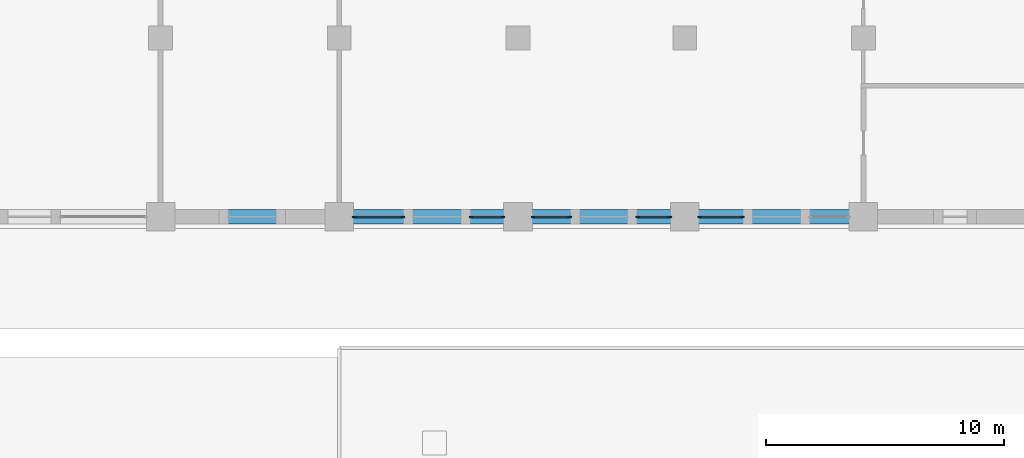
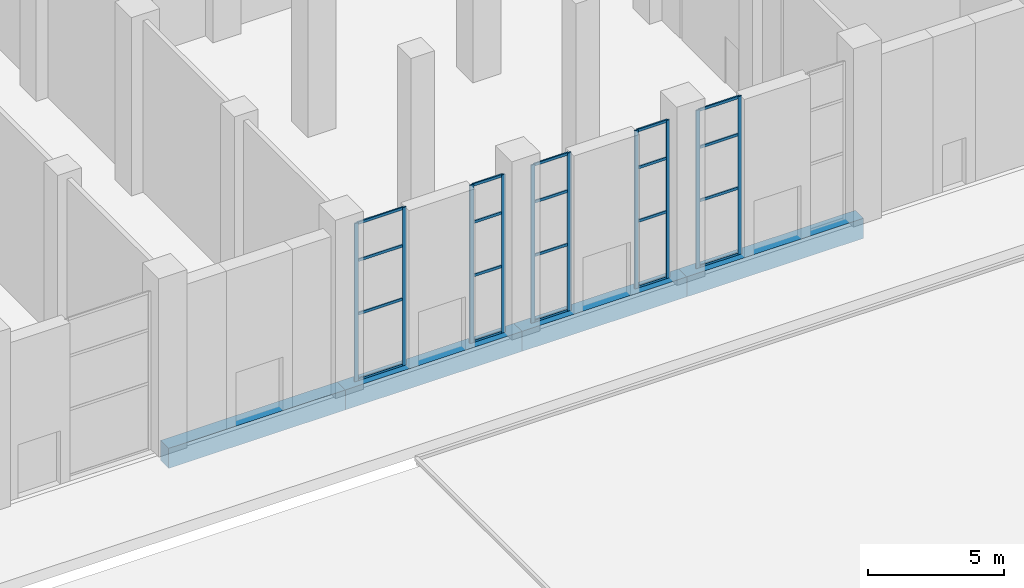
# One storey, part 5 of 57: 30 members, 4 beams, 5 elements without a shape of their own.
"""IFC4 building model written with IfcOpenShell, lengths in metres."""

from ifc_helpers import new_model, si_unit, direction, frame, origin, origin_2d, place, context, subcontext, project, spatial, rectangle, extrude, material, layer, layer_set, material_profile, profile_set, type_object, element, aggregate, save


model = new_model("IFC4")

# Units and contexts
model_context = context("Model", 3, precision=1e-05, world=origin(), true_north=direction((0.0, 1.0)))
body_context = subcontext(model_context, "Body", "Model", "MODEL_VIEW")
ifc_project = project(units=[si_unit("LENGTHUNIT", "METRE"), si_unit("AREAUNIT", "SQUARE_METRE"), si_unit("VOLUMEUNIT", "CUBIC_METRE"), si_unit("PLANEANGLEUNIT", "RADIAN"), si_unit("MASSUNIT", "GRAM", prefix="KILO")], contexts=[model_context])

# Site, building, storey
site_placement = place(None, origin())
site = spatial("IfcSite", under=ifc_project, at=site_placement, CompositionType="ELEMENT")
building_placement = place(site_placement, origin())
building = spatial("IfcBuilding", under=site, at=building_placement, Name="Tamorin Gate", CompositionType="ELEMENT")
storey_placement = place(building_placement, origin())
storey = spatial("IfcBuildingStorey", under=building, at=storey_placement, Name="L00", CompositionType="ELEMENT", Elevation=0.0)

# Beams
ifc_material_1 = material(Name="Concrete C50/60", Category="concrete")
ifc_material_profile_1 = material_profile(ifc_material_1, rectangle(XDim=0.60009765625, YDim=0.89990234375, at=origin_2d()), Name="RC 600x900")
ifc_profile_set_1 = profile_set([ifc_material_profile_1], Name="Concrete C50/60")
beam_type = type_object("IfcBeamType", Name="RC spandrel 600x900 C50/60", PredefinedType="BEAM", material=ifc_profile_set_1)
for number, where, z_axis, x_axis, name in (
    (1, (52.5, 30.5, -0.449951171875), (1.0, 0.0, 0.0), (0.0, 1.0, 0.0), "Spandrel beam L00"),
    (2, (60.0, 30.5, -0.449951171875), (1.0, 0.0, 0.0), (0.0, 1.0, 0.0), "Spandrel beam L00"),
):
    element("IfcBeam", number, at=place(storey_placement, frame(where, z_axis=z_axis, x_axis=x_axis)), inside=storey, type_object=beam_type, Name=name, PredefinedType="BEAM", context=body_context, shape_type="SweptSolid", body=[
        extrude(rectangle(XDim=0.60009765625, YDim=0.89990234375, at=origin_2d()), origin(), (0.0, 0.0, 1.0), 7.5),
    ])
beam_1_placement = place(storey_placement, frame((67.5, 30.5, -0.449951171875), z_axis=(1.0, 0.0, 0.0), x_axis=(0.0, 1.0, 0.0)))
element("IfcBeam", 3, at=beam_1_placement, inside=storey, type_object=beam_type, Name="Spandrel beam L00", PredefinedType="BEAM", context=body_context, shape_type="SweptSolid", body=[
    extrude(rectangle(XDim=0.60009765625, YDim=0.89990234375, at=origin_2d()), origin(), (0.0, 0.0, 1.0), 7.0),
])
beam_2_placement = place(storey_placement, frame((74.5, 30.5, -0.449951171875), z_axis=(1.0, 0.0, 0.0), x_axis=(0.0, 1.0, 0.0)))
element("IfcBeam", 4, at=beam_2_placement, inside=storey, type_object=beam_type, Name="Spandrel beam L00", PredefinedType="BEAM", context=body_context, shape_type="SweptSolid", body=[
    extrude(rectangle(XDim=0.60009765625, YDim=0.89990234375, at=origin_2d()), origin(), (0.0, 0.0, 1.0), 7.5),
])

# Curtain wall, members
ifc_material_2 = material(Name="Aluminium and glass", Category="aluminium")
ifc_layer = layer(ifc_material_2, 0.199951171875)
ifc_layer_set = layer_set([ifc_layer], Name="Retail storefront system")
curtain_wall_type = type_object("IfcCurtainWallType", Name="Retail storefront system", PredefinedType="NOTDEFINED", material=ifc_layer_set)
curtain_wall_1_placement = place(storey_placement, origin())
curtain_wall_1 = element("IfcCurtainWall", 5, at=curtain_wall_1_placement, inside=storey, type_object=curtain_wall_type, Name="Retail storefront system L00", PredefinedType="NOTDEFINED")
ifc_material_3 = material(Name="Aluminium", Category="aluminium")
ifc_material_profile_2 = material_profile(ifc_material_3, rectangle(XDim=0.06005859375, YDim=0.159912109375, at=origin_2d()), Name="RECT 60x160")
ifc_profile_set_2 = profile_set([ifc_material_profile_2], Name="Aluminium")
member_type_1 = type_object("IfcMemberType", Name="Storefront mullion 60x160", PredefinedType="MULLION", material=ifc_profile_set_2)
member_1_placement = place(storey_placement, frame((60.6298828125, 30.5, 0.0), z_axis=(0.0, 0.0, 1.0), x_axis=(0.0, 1.0, 0.0)))
member_1 = element("IfcMember", 6, at=member_1_placement, type_object=member_type_1, Name="CWP10 mullion 1", PredefinedType="MULLION", context=body_context, shape_type="SweptSolid", body=[
    extrude(rectangle(XDim=0.06005859375, YDim=0.159912109375, at=origin_2d()), origin(), (0.0, 0.0, 1.0), 7.10009765625),
])
member_2_placement = place(storey_placement, frame((62.669921875, 30.5, 0.0), z_axis=(0.0, 0.0, 1.0), x_axis=(0.0, 1.0, 0.0)))
member_2 = element("IfcMember", 7, at=member_2_placement, type_object=member_type_1, Name="CWP10 mullion 2", PredefinedType="MULLION", context=body_context, shape_type="SweptSolid", body=[
    extrude(rectangle(XDim=0.06005859375, YDim=0.159912109375, at=origin_2d()), origin(), (0.0, 0.0, 1.0), 7.10009765625),
])

curtain_wall_2_placement = place(storey_placement, origin())
curtain_wall_2 = element("IfcCurtainWall", 8, at=curtain_wall_2_placement, inside=storey, type_object=curtain_wall_type, Name="Retail storefront system L00", PredefinedType="NOTDEFINED")
member_3_placement = place(storey_placement, frame((65.530029296875, 30.5, 0.0), z_axis=(0.0, 0.0, 1.0), x_axis=(0.0, 1.0, 0.0)))
member_3 = element("IfcMember", 9, at=member_3_placement, type_object=member_type_1, Name="CWP10 mullion 1", PredefinedType="MULLION", context=body_context, shape_type="SweptSolid", body=[
    extrude(rectangle(XDim=0.06005859375, YDim=0.159912109375, at=origin_2d()), origin(), (0.0, 0.0, 1.0), 7.10009765625),
])
member_4_placement = place(storey_placement, frame((66.8701171875, 30.5, 0.0), z_axis=(0.0, 0.0, 1.0), x_axis=(0.0, 1.0, 0.0)))
member_4 = element("IfcMember", 10, at=member_4_placement, type_object=member_type_1, Name="CWP10 mullion 2", PredefinedType="MULLION", context=body_context, shape_type="SweptSolid", body=[
    extrude(rectangle(XDim=0.06005859375, YDim=0.159912109375, at=origin_2d()), origin(), (0.0, 0.0, 1.0), 7.10009765625),
])

curtain_wall_3_placement = place(storey_placement, origin())
curtain_wall_3 = element("IfcCurtainWall", 11, at=curtain_wall_3_placement, inside=storey, type_object=curtain_wall_type, Name="Retail storefront system L00", PredefinedType="NOTDEFINED")
member_5_placement = place(storey_placement, frame((68.1298828125, 30.5, 0.0), z_axis=(0.0, 0.0, 1.0), x_axis=(0.0, 1.0, 0.0)))
member_5 = element("IfcMember", 12, at=member_5_placement, type_object=member_type_1, Name="CWP10 mullion 1", PredefinedType="MULLION", context=body_context, shape_type="SweptSolid", body=[
    extrude(rectangle(XDim=0.06005859375, YDim=0.159912109375, at=origin_2d()), origin(), (0.0, 0.0, 1.0), 7.10009765625),
])
member_6_placement = place(storey_placement, frame((69.669921875, 30.5, 0.0), z_axis=(0.0, 0.0, 1.0), x_axis=(0.0, 1.0, 0.0)))
member_6 = element("IfcMember", 13, at=member_6_placement, type_object=member_type_1, Name="CWP10 mullion 2", PredefinedType="MULLION", context=body_context, shape_type="SweptSolid", body=[
    extrude(rectangle(XDim=0.06005859375, YDim=0.159912109375, at=origin_2d()), origin(), (0.0, 0.0, 1.0), 7.10009765625),
])

curtain_wall_4_placement = place(storey_placement, origin())
curtain_wall_4 = element("IfcCurtainWall", 14, at=curtain_wall_4_placement, inside=storey, type_object=curtain_wall_type, Name="Retail storefront system L00", PredefinedType="NOTDEFINED")
member_7_placement = place(storey_placement, frame((72.530029296875, 30.5, 0.0), z_axis=(0.0, 0.0, 1.0), x_axis=(0.0, 1.0, 0.0)))
member_7 = element("IfcMember", 15, at=member_7_placement, type_object=member_type_1, Name="CWP10 mullion 1", PredefinedType="MULLION", context=body_context, shape_type="SweptSolid", body=[
    extrude(rectangle(XDim=0.06005859375, YDim=0.159912109375, at=origin_2d()), origin(), (0.0, 0.0, 1.0), 7.10009765625),
])
member_8_placement = place(storey_placement, frame((73.8701171875, 30.5, 0.0), z_axis=(0.0, 0.0, 1.0), x_axis=(0.0, 1.0, 0.0)))
member_8 = element("IfcMember", 16, at=member_8_placement, type_object=member_type_1, Name="CWP10 mullion 2", PredefinedType="MULLION", context=body_context, shape_type="SweptSolid", body=[
    extrude(rectangle(XDim=0.06005859375, YDim=0.159912109375, at=origin_2d()), origin(), (0.0, 0.0, 1.0), 7.10009765625),
])

curtain_wall_5_placement = place(storey_placement, origin())
curtain_wall_5 = element("IfcCurtainWall", 17, at=curtain_wall_5_placement, inside=storey, type_object=curtain_wall_type, Name="Retail storefront system L00", PredefinedType="NOTDEFINED")
member_9_placement = place(storey_placement, frame((75.1298828125, 30.5, 0.0), z_axis=(0.0, 0.0, 1.0), x_axis=(0.0, 1.0, 0.0)))
member_9 = element("IfcMember", 18, at=member_9_placement, type_object=member_type_1, Name="CWP10 mullion 1", PredefinedType="MULLION", context=body_context, shape_type="SweptSolid", body=[
    extrude(rectangle(XDim=0.06005859375, YDim=0.159912109375, at=origin_2d()), origin(), (0.0, 0.0, 1.0), 7.10009765625),
])
member_10_placement = place(storey_placement, frame((76.919921875, 30.5, 0.0), z_axis=(0.0, 0.0, 1.0), x_axis=(0.0, 1.0, 0.0)))
member_10 = element("IfcMember", 19, at=member_10_placement, type_object=member_type_1, Name="CWP10 mullion 2", PredefinedType="MULLION", context=body_context, shape_type="SweptSolid", body=[
    extrude(rectangle(XDim=0.06005859375, YDim=0.159912109375, at=origin_2d()), origin(), (0.0, 0.0, 1.0), 7.10009765625),
])

# Member
ifc_material_profile_3 = material_profile(ifc_material_3, rectangle(XDim=0.06005859375, YDim=0.1201171875, at=origin_2d()), Name="RECT 60x120")
ifc_profile_set_3 = profile_set([ifc_material_profile_3], Name="Aluminium")
member_type_2 = type_object("IfcMemberType", Name="Storefront transom 60x120", PredefinedType="USERDEFINED", material=ifc_profile_set_3)
member_11_placement = place(storey_placement, frame((60.659912109375, 30.5, 0.030029296875), z_axis=(1.0, 0.0, 0.0), x_axis=(0.0, 1.0, 0.0)))
member_11 = element("IfcMember", 20, at=member_11_placement, type_object=member_type_2, Name="CWP10 transom 1.1", ObjectType="TRANSOM", PredefinedType="USERDEFINED", context=body_context, shape_type="SweptSolid", body=[
    extrude(rectangle(XDim=0.06005859375, YDim=0.1201171875, at=origin_2d()), origin(), (0.0, 0.0, 1.0), 1.97998046875),
])

member_12_placement = place(storey_placement, frame((60.659912109375, 30.5, 3.0), z_axis=(1.0, 0.0, 0.0), x_axis=(0.0, 1.0, 0.0)))
member_12 = element("IfcMember", 21, at=member_12_placement, type_object=member_type_2, Name="CWP10 transom 1.2", ObjectType="TRANSOM", PredefinedType="USERDEFINED", context=body_context, shape_type="SweptSolid", body=[
    extrude(rectangle(XDim=0.06005859375, YDim=0.1201171875, at=origin_2d()), origin(), (0.0, 0.0, 1.0), 1.97998046875),
])

member_13_placement = place(storey_placement, frame((60.659912109375, 30.5, 5.39990234375), z_axis=(1.0, 0.0, 0.0), x_axis=(0.0, 1.0, 0.0)))
member_13 = element("IfcMember", 22, at=member_13_placement, type_object=member_type_2, Name="CWP10 transom 1.3", ObjectType="TRANSOM", PredefinedType="USERDEFINED", context=body_context, shape_type="SweptSolid", body=[
    extrude(rectangle(XDim=0.06005859375, YDim=0.1201171875, at=origin_2d()), origin(), (0.0, 0.0, 1.0), 1.97998046875),
])

member_14_placement = place(storey_placement, frame((60.659912109375, 30.5, 7.070068359375), z_axis=(1.0, 0.0, 0.0), x_axis=(0.0, 1.0, 0.0)))
member_14 = element("IfcMember", 23, at=member_14_placement, type_object=member_type_2, Name="CWP10 transom 1.4", ObjectType="TRANSOM", PredefinedType="USERDEFINED", context=body_context, shape_type="SweptSolid", body=[
    extrude(rectangle(XDim=0.06005859375, YDim=0.1201171875, at=origin_2d()), origin(), (0.0, 0.0, 1.0), 1.97998046875),
])

aggregate(curtain_wall_1, [member_1, member_2, member_11, member_12, member_13, member_14])

member_15_placement = place(storey_placement, frame((65.56005859375, 30.5, 0.030029296875), z_axis=(1.0, 0.0, 0.0), x_axis=(0.0, 1.0, 0.0)))
member_15 = element("IfcMember", 24, at=member_15_placement, type_object=member_type_2, Name="CWP10 transom 1.1", ObjectType="TRANSOM", PredefinedType="USERDEFINED", context=body_context, shape_type="SweptSolid", body=[
    extrude(rectangle(XDim=0.06005859375, YDim=0.1201171875, at=origin_2d()), origin(), (0.0, 0.0, 1.0), 1.280029296875),
])

member_16_placement = place(storey_placement, frame((65.56005859375, 30.5, 3.0), z_axis=(1.0, 0.0, 0.0), x_axis=(0.0, 1.0, 0.0)))
member_16 = element("IfcMember", 25, at=member_16_placement, type_object=member_type_2, Name="CWP10 transom 1.2", ObjectType="TRANSOM", PredefinedType="USERDEFINED", context=body_context, shape_type="SweptSolid", body=[
    extrude(rectangle(XDim=0.06005859375, YDim=0.1201171875, at=origin_2d()), origin(), (0.0, 0.0, 1.0), 1.280029296875),
])

member_17_placement = place(storey_placement, frame((65.56005859375, 30.5, 5.39990234375), z_axis=(1.0, 0.0, 0.0), x_axis=(0.0, 1.0, 0.0)))
member_17 = element("IfcMember", 26, at=member_17_placement, type_object=member_type_2, Name="CWP10 transom 1.3", ObjectType="TRANSOM", PredefinedType="USERDEFINED", context=body_context, shape_type="SweptSolid", body=[
    extrude(rectangle(XDim=0.06005859375, YDim=0.1201171875, at=origin_2d()), origin(), (0.0, 0.0, 1.0), 1.280029296875),
])

member_18_placement = place(storey_placement, frame((65.56005859375, 30.5, 7.070068359375), z_axis=(1.0, 0.0, 0.0), x_axis=(0.0, 1.0, 0.0)))
member_18 = element("IfcMember", 27, at=member_18_placement, type_object=member_type_2, Name="CWP10 transom 1.4", ObjectType="TRANSOM", PredefinedType="USERDEFINED", context=body_context, shape_type="SweptSolid", body=[
    extrude(rectangle(XDim=0.06005859375, YDim=0.1201171875, at=origin_2d()), origin(), (0.0, 0.0, 1.0), 1.280029296875),
])

aggregate(curtain_wall_2, [member_3, member_4, member_15, member_16, member_17, member_18])

member_19_placement = place(storey_placement, frame((68.159912109375, 30.5, 0.030029296875), z_axis=(1.0, 0.0, 0.0), x_axis=(0.0, 1.0, 0.0)))
member_19 = element("IfcMember", 28, at=member_19_placement, type_object=member_type_2, Name="CWP10 transom 1.1", ObjectType="TRANSOM", PredefinedType="USERDEFINED", context=body_context, shape_type="SweptSolid", body=[
    extrude(rectangle(XDim=0.06005859375, YDim=0.1201171875, at=origin_2d()), origin(), (0.0, 0.0, 1.0), 1.47998046875),
])

member_20_placement = place(storey_placement, frame((68.159912109375, 30.5, 3.0), z_axis=(1.0, 0.0, 0.0), x_axis=(0.0, 1.0, 0.0)))
member_20 = element("IfcMember", 29, at=member_20_placement, type_object=member_type_2, Name="CWP10 transom 1.2", ObjectType="TRANSOM", PredefinedType="USERDEFINED", context=body_context, shape_type="SweptSolid", body=[
    extrude(rectangle(XDim=0.06005859375, YDim=0.1201171875, at=origin_2d()), origin(), (0.0, 0.0, 1.0), 1.47998046875),
])

member_21_placement = place(storey_placement, frame((68.159912109375, 30.5, 5.39990234375), z_axis=(1.0, 0.0, 0.0), x_axis=(0.0, 1.0, 0.0)))
member_21 = element("IfcMember", 30, at=member_21_placement, type_object=member_type_2, Name="CWP10 transom 1.3", ObjectType="TRANSOM", PredefinedType="USERDEFINED", context=body_context, shape_type="SweptSolid", body=[
    extrude(rectangle(XDim=0.06005859375, YDim=0.1201171875, at=origin_2d()), origin(), (0.0, 0.0, 1.0), 1.47998046875),
])

member_22_placement = place(storey_placement, frame((68.159912109375, 30.5, 7.070068359375), z_axis=(1.0, 0.0, 0.0), x_axis=(0.0, 1.0, 0.0)))
member_22 = element("IfcMember", 31, at=member_22_placement, type_object=member_type_2, Name="CWP10 transom 1.4", ObjectType="TRANSOM", PredefinedType="USERDEFINED", context=body_context, shape_type="SweptSolid", body=[
    extrude(rectangle(XDim=0.06005859375, YDim=0.1201171875, at=origin_2d()), origin(), (0.0, 0.0, 1.0), 1.47998046875),
])

aggregate(curtain_wall_3, [member_5, member_6, member_19, member_20, member_21, member_22])

member_23_placement = place(storey_placement, frame((72.56005859375, 30.5, 0.030029296875), z_axis=(1.0, 0.0, 0.0), x_axis=(0.0, 1.0, 0.0)))
member_23 = element("IfcMember", 32, at=member_23_placement, type_object=member_type_2, Name="CWP10 transom 1.1", ObjectType="TRANSOM", PredefinedType="USERDEFINED", context=body_context, shape_type="SweptSolid", body=[
    extrude(rectangle(XDim=0.06005859375, YDim=0.1201171875, at=origin_2d()), origin(), (0.0, 0.0, 1.0), 1.280029296875),
])

member_24_placement = place(storey_placement, frame((72.56005859375, 30.5, 3.0), z_axis=(1.0, 0.0, 0.0), x_axis=(0.0, 1.0, 0.0)))
member_24 = element("IfcMember", 33, at=member_24_placement, type_object=member_type_2, Name="CWP10 transom 1.2", ObjectType="TRANSOM", PredefinedType="USERDEFINED", context=body_context, shape_type="SweptSolid", body=[
    extrude(rectangle(XDim=0.06005859375, YDim=0.1201171875, at=origin_2d()), origin(), (0.0, 0.0, 1.0), 1.280029296875),
])

member_25_placement = place(storey_placement, frame((72.56005859375, 30.5, 5.39990234375), z_axis=(1.0, 0.0, 0.0), x_axis=(0.0, 1.0, 0.0)))
member_25 = element("IfcMember", 34, at=member_25_placement, type_object=member_type_2, Name="CWP10 transom 1.3", ObjectType="TRANSOM", PredefinedType="USERDEFINED", context=body_context, shape_type="SweptSolid", body=[
    extrude(rectangle(XDim=0.06005859375, YDim=0.1201171875, at=origin_2d()), origin(), (0.0, 0.0, 1.0), 1.280029296875),
])

member_26_placement = place(storey_placement, frame((72.56005859375, 30.5, 7.070068359375), z_axis=(1.0, 0.0, 0.0), x_axis=(0.0, 1.0, 0.0)))
member_26 = element("IfcMember", 35, at=member_26_placement, type_object=member_type_2, Name="CWP10 transom 1.4", ObjectType="TRANSOM", PredefinedType="USERDEFINED", context=body_context, shape_type="SweptSolid", body=[
    extrude(rectangle(XDim=0.06005859375, YDim=0.1201171875, at=origin_2d()), origin(), (0.0, 0.0, 1.0), 1.280029296875),
])

aggregate(curtain_wall_4, [member_7, member_8, member_23, member_24, member_25, member_26])

member_27_placement = place(storey_placement, frame((75.159912109375, 30.5, 0.030029296875), z_axis=(1.0, 0.0, 0.0), x_axis=(0.0, 1.0, 0.0)))
member_27 = element("IfcMember", 36, at=member_27_placement, type_object=member_type_2, Name="CWP10 transom 1.1", ObjectType="TRANSOM", PredefinedType="USERDEFINED", context=body_context, shape_type="SweptSolid", body=[
    extrude(rectangle(XDim=0.06005859375, YDim=0.1201171875, at=origin_2d()), origin(), (0.0, 0.0, 1.0), 1.72998046875),
])

member_28_placement = place(storey_placement, frame((75.159912109375, 30.5, 3.0), z_axis=(1.0, 0.0, 0.0), x_axis=(0.0, 1.0, 0.0)))
member_28 = element("IfcMember", 37, at=member_28_placement, type_object=member_type_2, Name="CWP10 transom 1.2", ObjectType="TRANSOM", PredefinedType="USERDEFINED", context=body_context, shape_type="SweptSolid", body=[
    extrude(rectangle(XDim=0.06005859375, YDim=0.1201171875, at=origin_2d()), origin(), (0.0, 0.0, 1.0), 1.72998046875),
])

member_29_placement = place(storey_placement, frame((75.159912109375, 30.5, 5.39990234375), z_axis=(1.0, 0.0, 0.0), x_axis=(0.0, 1.0, 0.0)))
member_29 = element("IfcMember", 38, at=member_29_placement, type_object=member_type_2, Name="CWP10 transom 1.3", ObjectType="TRANSOM", PredefinedType="USERDEFINED", context=body_context, shape_type="SweptSolid", body=[
    extrude(rectangle(XDim=0.06005859375, YDim=0.1201171875, at=origin_2d()), origin(), (0.0, 0.0, 1.0), 1.72998046875),
])

member_30_placement = place(storey_placement, frame((75.159912109375, 30.5, 7.070068359375), z_axis=(1.0, 0.0, 0.0), x_axis=(0.0, 1.0, 0.0)))
member_30 = element("IfcMember", 39, at=member_30_placement, type_object=member_type_2, Name="CWP10 transom 1.4", ObjectType="TRANSOM", PredefinedType="USERDEFINED", context=body_context, shape_type="SweptSolid", body=[
    extrude(rectangle(XDim=0.06005859375, YDim=0.1201171875, at=origin_2d()), origin(), (0.0, 0.0, 1.0), 1.72998046875),
])

aggregate(curtain_wall_5, [member_9, member_10, member_27, member_28, member_29, member_30])

save(model, "model.ifc")
